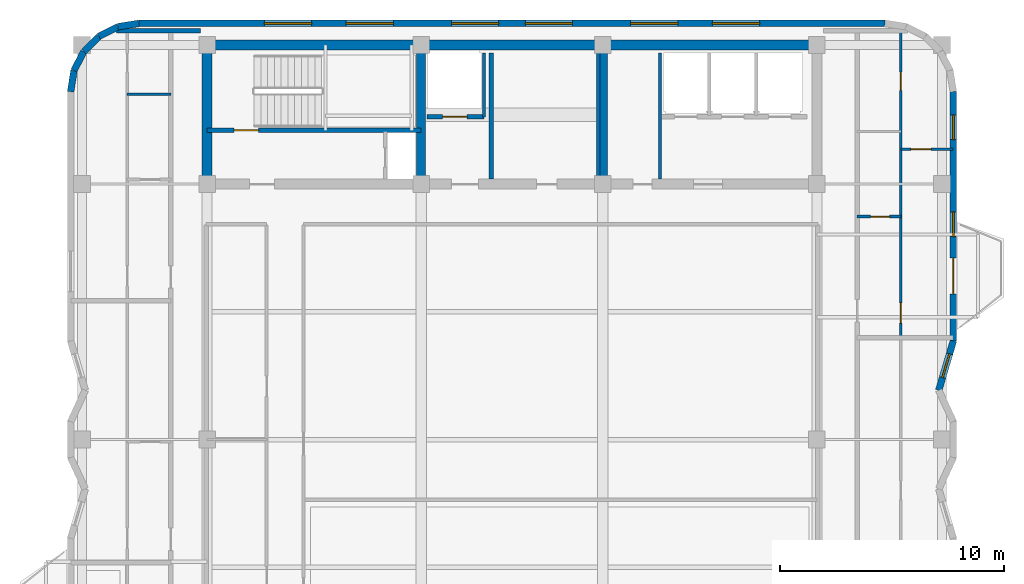
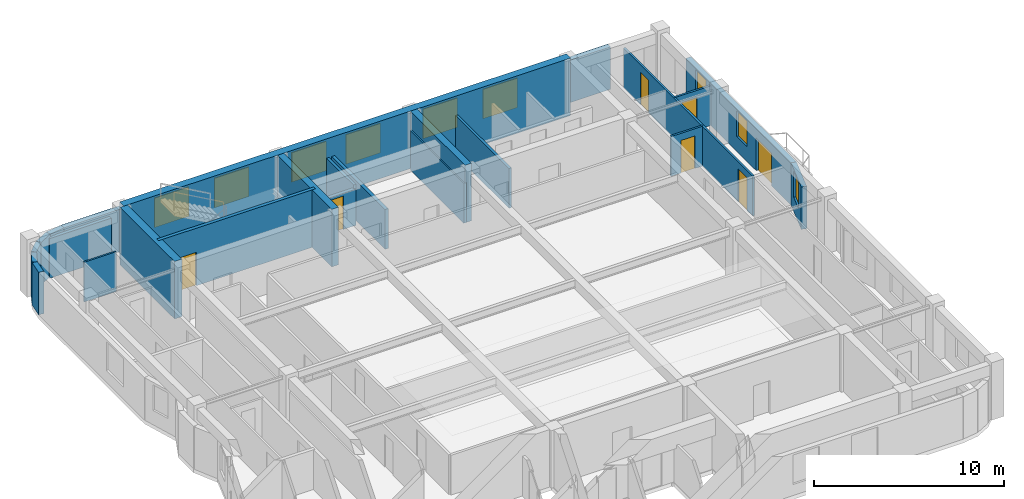
# One storey, part 5 of 8: 23 walls, 9 windows, 7 doors, 16 openings.
"""IFC4 building model written with IfcOpenShell, lengths in metres."""

from ifc_helpers import new_model, si_unit, direction, frame, frame_2d, origin, place, context, subcontext, project, spatial, rectangle, extrude, material, layer, layer_set, type_object, element, fill, save


model = new_model("IFC4")

# Units and contexts
model_context = context("Model", 3, precision=1e-05, world=origin(), true_north=direction((0.0, 1.0)))
body_context = subcontext(model_context, "Body", "Model", "MODEL_VIEW")
ifc_project = project(units=[si_unit("LENGTHUNIT", "METRE"), si_unit("AREAUNIT", "SQUARE_METRE"), si_unit("VOLUMEUNIT", "CUBIC_METRE"), si_unit("PLANEANGLEUNIT", "RADIAN"), si_unit("MASSUNIT", "GRAM", prefix="KILO")], contexts=[model_context])

# Site, building, storey
site_placement = place(None, origin())
site = spatial("IfcSite", under=ifc_project, at=site_placement, CompositionType="ELEMENT")
building_placement = place(site_placement, origin())
building = spatial("IfcBuilding", under=site, at=building_placement, Name="Svetorya Sky Lyceum", CompositionType="ELEMENT")
storey_placement = place(building_placement, frame((0.0, 0.0, 282.39990234375)))
storey = spatial("IfcBuildingStorey", under=building, at=storey_placement, Name="L71", CompositionType="ELEMENT", Elevation=282.39990234375)

# Walls
ifc_material_1 = material(Name="Concrete C40/50", Category="concrete")
ifc_layer_1 = layer(ifc_material_1, 0.39990234375)
ifc_layer_set_1 = layer_set([ifc_layer_1], Name="Concrete C40/50")
wall_type_1 = type_object("IfcWallType", Name="WL-CORE-400", PredefinedType="SHEAR", material=ifc_layer_set_1)
for number, where, z_axis, x_axis, name in (
    (1, (35.14990234375, 39.824951171875, 0.0), (0.0, 0.0, 1.0), (0.0, 1.0, 0.0), "L71 NC Internal Shear Web WEB1"),
    (2, (43.25, 39.824951171875, 0.0), (0.0, 0.0, 1.0), (0.0, 1.0, 0.0), "L71 NC Internal Shear Web WEB2"),
):
    element("IfcWall", number, at=place(storey_placement, frame(where, z_axis=z_axis, x_axis=x_axis)), inside=storey, type_object=wall_type_1, Name=name, PredefinedType="SHEAR", context=body_context, shape_type="SweptSolid", body=[
        extrude(rectangle(XDim=5.75, YDim=0.39990234375, at=frame_2d((2.875, 0.0))), origin(), (0.0, 0.0, 1.0), 3.7001953125),
    ])
ifc_material_2 = material(Name="Concrete C50/60", Category="concrete")
ifc_layer_2 = layer(ifc_material_2, 0.449951171875)
ifc_layer_set_2 = layer_set([ifc_layer_2], Name="Concrete C50/60")
wall_type_2 = type_object("IfcWallType", Name="WL-CORE-450", PredefinedType="SHEAR", material=ifc_layer_set_2)
wall_1_placement = place(storey_placement, frame((25.60009765625, 45.800048828125, 0.0), z_axis=(0.0, 0.0, 1.0), x_axis=(1.0, 0.0, 0.0)))
element("IfcWall", 3, at=wall_1_placement, inside=storey, type_object=wall_type_2, Name="L71 NC Outer Core Shear Wall", PredefinedType="SHEAR", context=body_context, shape_type="SweptSolid", body=[
    extrude(rectangle(XDim=27.199951171875, YDim=0.449951171875, at=frame_2d((13.60009765625, 0.0))), origin(), (0.0, 0.0, 1.0), 3.7001953125),
])
wall_2_placement = place(storey_placement, frame((25.60009765625, 39.824951171875, 0.0), z_axis=(0.0, 0.0, 1.0), x_axis=(0.0, 1.0, 0.0)))
element("IfcWall", 4, at=wall_2_placement, inside=storey, type_object=wall_type_2, Name="L71 NC West Core Shear Wall", PredefinedType="SHEAR", context=body_context, shape_type="SweptSolid", body=[
    extrude(rectangle(XDim=5.75, YDim=0.449951171875, at=frame_2d((2.875, 0.0))), origin(), (0.0, 0.0, 1.0), 3.7001953125),
])

# Wall, opening, window
ifc_material_3 = material(Name="Putilovo limestone rainscreen on autoclaved cellular masonry", Category="masonry")
ifc_layer_3 = layer(ifc_material_3, 0.300048828125)
ifc_layer_set_3 = layer_set([ifc_layer_3], Name="Putilovo limestone rainscreen on autoclaved cellular masonry")
wall_type_3 = type_object("IfcWallType", Name="WL-EXT-300", PredefinedType="SOLIDWALL", material=ifc_layer_set_3)
wall_3_placement = place(storey_placement, frame((58.239990234375, 30.39990234375, 0.0), z_axis=(0.0, 0.0, 1.0), x_axis=(0.28328385701, 0.959036107953, 0.0)))
wall_3 = element("IfcWall", 5, at=wall_3_placement, inside=storey, type_object=wall_type_3, Name="L71 Limestone Exterior Wall 17M", PredefinedType="SOLIDWALL", context=body_context, shape_type="SweptSolid", body=[
    extrude(rectangle(XDim=2.294189453125, YDim=0.300048828125, at=frame_2d((1.14697265625, 0.0))), origin(), (0.0, 0.0, 1.0), 2.72998046875),
])
opening_1_placement = place(wall_3_placement, frame((0.596923828125, 0.0, 0.919921875)))
opening_1 = element("IfcOpeningElement", 6, at=opening_1_placement, cuts=wall_3, Name="Opening W-R3", PredefinedType="OPENING", context=body_context, shape_type="SweptSolid", body=[
    extrude(rectangle(XDim=1.10009765625, YDim=1.64990234375, at=frame_2d((0.550048828125, 0.824951171875))), frame((0.0, 0.159912109375, 0.0), z_axis=(0.0, -1.0, 0.0), x_axis=(1.0, 0.0, 0.0)), (0.0, 0.0, 1.0), 0.320068359375),
])
ifc_material_4 = material(Name="Thermally broken aluminium frame with triple low-E glazing", Category="aluminium")
window_type_1 = type_object("IfcWindowType", Name="WN-RES-110", PartitioningType="SINGLE_PANEL", PredefinedType="WINDOW", material=ifc_material_4)
window_1_placement = place(opening_1_placement, origin())
window_1 = element("IfcWindow", 7, at=window_1_placement, inside=storey, type_object=window_type_1, Name="L71 Facade Window W-R3.17M.1", OverallHeight=1.64990234375, OverallWidth=1.10009765625, PartitioningType="SINGLE_PANEL", PredefinedType="WINDOW", context=body_context, shape_type="SweptSolid", body=[
    extrude(rectangle(XDim=1.10009765625, YDim=1.64990234375, at=frame_2d((0.550048828125, 0.824951171875))), frame((0.0, 0.030029296875, 0.0), z_axis=(0.0, -1.0, 0.0), x_axis=(1.0, 0.0, 0.0)), (0.0, 0.0, 1.0), 0.06005859375),
])
fill(opening_1, window_1)

# Wall, openings, door, windows
wall_4_placement = place(storey_placement, frame((58.889892578125, 32.60009765625, 0.0), z_axis=(0.0, 0.0, 1.0), x_axis=(0.0, 1.0, 0.0)))
wall_4 = element("IfcWall", 8, at=wall_4_placement, inside=storey, type_object=wall_type_3, Name="L71 Limestone Exterior Wall 18M", PredefinedType="SOLIDWALL", context=body_context, shape_type="SweptSolid", body=[
    extrude(rectangle(XDim=11.119873046875, YDim=0.300048828125, at=frame_2d((5.56005859375, 0.0))), origin(), (0.0, 0.0, 1.0), 2.72998046875),
])
opening_2_placement = place(wall_4_placement, frame((2.10009765625, 0.0, 0.0)))
opening_2 = element("IfcOpeningElement", 9, at=opening_2_placement, cuts=wall_4, Name="Opening D-BL1", PredefinedType="OPENING", context=body_context, shape_type="SweptSolid", body=[
    extrude(rectangle(XDim=1.60009765625, YDim=2.10009765625, at=frame_2d((0.800048828125, 1.050048828125))), frame((0.0, 0.159912109375, 0.0), z_axis=(0.0, -1.0, 0.0), x_axis=(1.0, 0.0, 0.0)), (0.0, 0.0, 1.0), 0.320068359375),
])
opening_3_placement = place(wall_4_placement, frame((4.659912109375, 0.0, 0.949951171875)))
opening_3 = element("IfcOpeningElement", 10, at=opening_3_placement, cuts=wall_4, Name="Opening W-R3", PredefinedType="OPENING", context=body_context, shape_type="SweptSolid", body=[
    extrude(rectangle(XDim=1.10009765625, YDim=1.64990234375, at=frame_2d((0.550048828125, 0.824951171875))), frame((0.0, 0.159912109375, 0.0), z_axis=(0.0, -1.0, 0.0), x_axis=(1.0, 0.0, 0.0)), (0.0, 0.0, 1.0), 0.320068359375),
])
opening_4_placement = place(wall_4_placement, frame((8.9833984375, 0.0, 0.949951171875)))
opening_4 = element("IfcOpeningElement", 11, at=opening_4_placement, cuts=wall_4, Name="Opening W-R3", PredefinedType="OPENING", context=body_context, shape_type="SweptSolid", body=[
    extrude(rectangle(XDim=1.10009765625, YDim=1.64990234375, at=frame_2d((0.550048828125, 0.824951171875))), frame((0.0, 0.159912109375, 0.0), z_axis=(0.0, -1.0, 0.0), x_axis=(1.0, 0.0, 0.0)), (0.0, 0.0, 1.0), 0.320068359375),
])
ifc_material_5 = material(Name="Insulated glazed aluminium balcony door", Category="aluminium")
door_type_1 = type_object("IfcDoorType", Name="DR-BAL-1600", OperationType="DOUBLE_DOOR_SINGLE_SWING", PredefinedType="DOOR", material=ifc_material_5)
door_1_placement = place(opening_2_placement, origin())
door_1 = element("IfcDoor", 12, at=door_1_placement, inside=storey, type_object=door_type_1, Name="L71 Balcony BAL-E1 Door", OperationType="DOUBLE_DOOR_SINGLE_SWING", OverallHeight=2.10009765625, OverallWidth=1.60009765625, PredefinedType="DOOR", context=body_context, shape_type="SweptSolid", body=[
    extrude(rectangle(XDim=1.60009765625, YDim=2.10009765625, at=frame_2d((0.800048828125, 1.050048828125))), frame((0.0, 0.02490234375, 0.0), z_axis=(0.0, -1.0, 0.0), x_axis=(1.0, 0.0, 0.0)), (0.0, 0.0, 1.0), 0.050048828125),
])
fill(opening_2, door_1)
window_2_placement = place(opening_3_placement, origin())
window_2 = element("IfcWindow", 13, at=window_2_placement, inside=storey, type_object=window_type_1, Name="L71 Facade Window W-R3.18M.1", OverallHeight=1.64990234375, OverallWidth=1.10009765625, PartitioningType="SINGLE_PANEL", PredefinedType="WINDOW", context=body_context, shape_type="SweptSolid", body=[
    extrude(rectangle(XDim=1.10009765625, YDim=1.64990234375, at=frame_2d((0.550048828125, 0.824951171875))), frame((0.0, 0.030029296875, 0.0), z_axis=(0.0, -1.0, 0.0), x_axis=(1.0, 0.0, 0.0)), (0.0, 0.0, 1.0), 0.06005859375),
])
fill(opening_3, window_2)
window_3_placement = place(opening_4_placement, origin())
window_3 = element("IfcWindow", 14, at=window_3_placement, inside=storey, type_object=window_type_1, Name="L71 Facade Window W-R3.18M.2", OverallHeight=1.64990234375, OverallWidth=1.10009765625, PartitioningType="SINGLE_PANEL", PredefinedType="WINDOW", context=body_context, shape_type="SweptSolid", body=[
    extrude(rectangle(XDim=1.10009765625, YDim=1.64990234375, at=frame_2d((0.550048828125, 0.824951171875))), frame((0.0, 0.030029296875, 0.0), z_axis=(0.0, -1.0, 0.0), x_axis=(1.0, 0.0, 0.0)), (0.0, 0.0, 1.0), 0.06005859375),
])
fill(opening_4, window_3)

# Wall, openings, windows
wall_5_placement = place(storey_placement, frame((55.840087890625, 46.77001953125, 0.0), z_axis=(0.0, 0.0, 1.0), x_axis=(-1.0, 0.0, 0.0)))
wall_5 = element("IfcWall", 15, at=wall_5_placement, inside=storey, type_object=wall_type_3, Name="L71 Limestone Exterior Wall 24M", PredefinedType="SOLIDWALL", context=body_context, shape_type="SweptSolid", body=[
    extrude(rectangle(XDim=33.280029296875, YDim=0.300048828125, at=frame_2d((16.64013671875, 0.0))), origin(), (0.0, 0.0, 1.0), 2.72998046875),
])
opening_5_placement = place(wall_5_placement, frame((5.59619140625, 0.0, 0.7099609375)))
opening_5 = element("IfcOpeningElement", 16, at=opening_5_placement, cuts=wall_5, Name="Opening W-R0", PredefinedType="OPENING", context=body_context, shape_type="SweptSolid", body=[
    extrude(rectangle(XDim=2.10009765625, YDim=1.89990234375, at=frame_2d((1.050048828125, 0.949951171875))), frame((0.0, 0.159912109375, 0.0), z_axis=(0.0, -1.0, 0.0), x_axis=(1.0, 0.0, 0.0)), (0.0, 0.0, 1.0), 0.320068359375),
])
opening_6_placement = place(wall_5_placement, frame((9.243896484375, 0.0, 0.7099609375)))
opening_6 = element("IfcOpeningElement", 17, at=opening_6_placement, cuts=wall_5, Name="Opening W-R0", PredefinedType="OPENING", context=body_context, shape_type="SweptSolid", body=[
    extrude(rectangle(XDim=2.10009765625, YDim=1.89990234375, at=frame_2d((1.050048828125, 0.949951171875))), frame((0.0, 0.159912109375, 0.0), z_axis=(0.0, -1.0, 0.0), x_axis=(1.0, 0.0, 0.0)), (0.0, 0.0, 1.0), 0.320068359375),
])
opening_7_placement = place(wall_5_placement, frame((13.94140625, 0.0, 0.7099609375)))
opening_7 = element("IfcOpeningElement", 18, at=opening_7_placement, cuts=wall_5, Name="Opening W-R0", PredefinedType="OPENING", context=body_context, shape_type="SweptSolid", body=[
    extrude(rectangle(XDim=2.10009765625, YDim=1.89990234375, at=frame_2d((1.050048828125, 0.949951171875))), frame((0.0, 0.159912109375, 0.0), z_axis=(0.0, -1.0, 0.0), x_axis=(1.0, 0.0, 0.0)), (0.0, 0.0, 1.0), 0.320068359375),
])
opening_8_placement = place(wall_5_placement, frame((17.23876953125, 0.0, 0.7099609375)))
opening_8 = element("IfcOpeningElement", 19, at=opening_8_placement, cuts=wall_5, Name="Opening W-R0", PredefinedType="OPENING", context=body_context, shape_type="SweptSolid", body=[
    extrude(rectangle(XDim=2.10009765625, YDim=1.89990234375, at=frame_2d((1.050048828125, 0.949951171875))), frame((0.0, 0.159912109375, 0.0), z_axis=(0.0, -1.0, 0.0), x_axis=(1.0, 0.0, 0.0)), (0.0, 0.0, 1.0), 0.320068359375),
])
opening_9_placement = place(wall_5_placement, frame((21.936279296875, 0.0, 0.7099609375)))
opening_9 = element("IfcOpeningElement", 20, at=opening_9_placement, cuts=wall_5, Name="Opening W-R0", PredefinedType="OPENING", context=body_context, shape_type="SweptSolid", body=[
    extrude(rectangle(XDim=2.10009765625, YDim=1.89990234375, at=frame_2d((1.050048828125, 0.949951171875))), frame((0.0, 0.159912109375, 0.0), z_axis=(0.0, -1.0, 0.0), x_axis=(1.0, 0.0, 0.0)), (0.0, 0.0, 1.0), 0.320068359375),
])
opening_10_placement = place(wall_5_placement, frame((25.583740234375, 0.0, 0.7099609375)))
opening_10 = element("IfcOpeningElement", 21, at=opening_10_placement, cuts=wall_5, Name="Opening W-R0", PredefinedType="OPENING", context=body_context, shape_type="SweptSolid", body=[
    extrude(rectangle(XDim=2.10009765625, YDim=1.89990234375, at=frame_2d((1.050048828125, 0.949951171875))), frame((0.0, 0.159912109375, 0.0), z_axis=(0.0, -1.0, 0.0), x_axis=(1.0, 0.0, 0.0)), (0.0, 0.0, 1.0), 0.320068359375),
])
window_type_2 = type_object("IfcWindowType", Name="WN-RES-210", PartitioningType="TRIPLE_PANEL_VERTICAL", PredefinedType="WINDOW", material=ifc_material_4)
window_4_placement = place(opening_5_placement, origin())
window_4 = element("IfcWindow", 22, at=window_4_placement, inside=storey, type_object=window_type_2, Name="L71 Facade Window W-R0.24M.1", OverallHeight=1.89990234375, OverallWidth=2.10009765625, PartitioningType="SINGLE_PANEL", PredefinedType="WINDOW", context=body_context, shape_type="SweptSolid", body=[
    extrude(rectangle(XDim=2.10009765625, YDim=1.89990234375, at=frame_2d((1.050048828125, 0.949951171875))), frame((0.0, 0.030029296875, 0.0), z_axis=(0.0, -1.0, 0.0), x_axis=(1.0, 0.0, 0.0)), (0.0, 0.0, 1.0), 0.06005859375),
])
fill(opening_5, window_4)
window_5_placement = place(opening_6_placement, origin())
window_5 = element("IfcWindow", 23, at=window_5_placement, inside=storey, type_object=window_type_2, Name="L71 Facade Window W-R0.24M.2", OverallHeight=1.89990234375, OverallWidth=2.10009765625, PartitioningType="SINGLE_PANEL", PredefinedType="WINDOW", context=body_context, shape_type="SweptSolid", body=[
    extrude(rectangle(XDim=2.10009765625, YDim=1.89990234375, at=frame_2d((1.050048828125, 0.949951171875))), frame((0.0, 0.030029296875, 0.0), z_axis=(0.0, -1.0, 0.0), x_axis=(1.0, 0.0, 0.0)), (0.0, 0.0, 1.0), 0.06005859375),
])
fill(opening_6, window_5)
window_6_placement = place(opening_7_placement, origin())
window_6 = element("IfcWindow", 24, at=window_6_placement, inside=storey, type_object=window_type_2, Name="L71 Facade Window W-R0.24M.3", OverallHeight=1.89990234375, OverallWidth=2.10009765625, PartitioningType="SINGLE_PANEL", PredefinedType="WINDOW", context=body_context, shape_type="SweptSolid", body=[
    extrude(rectangle(XDim=2.10009765625, YDim=1.89990234375, at=frame_2d((1.050048828125, 0.949951171875))), frame((0.0, 0.030029296875, 0.0), z_axis=(0.0, -1.0, 0.0), x_axis=(1.0, 0.0, 0.0)), (0.0, 0.0, 1.0), 0.06005859375),
])
fill(opening_7, window_6)
window_7_placement = place(opening_8_placement, origin())
window_7 = element("IfcWindow", 25, at=window_7_placement, inside=storey, type_object=window_type_2, Name="L71 Facade Window W-R0.24M.4", OverallHeight=1.89990234375, OverallWidth=2.10009765625, PartitioningType="SINGLE_PANEL", PredefinedType="WINDOW", context=body_context, shape_type="SweptSolid", body=[
    extrude(rectangle(XDim=2.10009765625, YDim=1.89990234375, at=frame_2d((1.050048828125, 0.949951171875))), frame((0.0, 0.030029296875, 0.0), z_axis=(0.0, -1.0, 0.0), x_axis=(1.0, 0.0, 0.0)), (0.0, 0.0, 1.0), 0.06005859375),
])
fill(opening_8, window_7)
window_8_placement = place(opening_9_placement, origin())
window_8 = element("IfcWindow", 26, at=window_8_placement, inside=storey, type_object=window_type_2, Name="L71 Facade Window W-R0.24M.5", OverallHeight=1.89990234375, OverallWidth=2.10009765625, PartitioningType="SINGLE_PANEL", PredefinedType="WINDOW", context=body_context, shape_type="SweptSolid", body=[
    extrude(rectangle(XDim=2.10009765625, YDim=1.89990234375, at=frame_2d((1.050048828125, 0.949951171875))), frame((0.0, 0.030029296875, 0.0), z_axis=(0.0, -1.0, 0.0), x_axis=(1.0, 0.0, 0.0)), (0.0, 0.0, 1.0), 0.06005859375),
])
fill(opening_9, window_8)
window_9_placement = place(opening_10_placement, origin())
window_9 = element("IfcWindow", 27, at=window_9_placement, inside=storey, type_object=window_type_2, Name="L71 Facade Window W-R0.24M.6", OverallHeight=1.89990234375, OverallWidth=2.10009765625, PartitioningType="SINGLE_PANEL", PredefinedType="WINDOW", context=body_context, shape_type="SweptSolid", body=[
    extrude(rectangle(XDim=2.10009765625, YDim=1.89990234375, at=frame_2d((1.050048828125, 0.949951171875))), frame((0.0, 0.030029296875, 0.0), z_axis=(0.0, -1.0, 0.0), x_axis=(1.0, 0.0, 0.0)), (0.0, 0.0, 1.0), 0.06005859375),
])
fill(opening_10, window_9)

# Walls
wall_6_placement = place(storey_placement, frame((22.56005859375, 46.77001953125, 0.0), z_axis=(0.0, 0.0, 1.0), x_axis=(-0.987669453596, -0.156553666304, 0.0)))
element("IfcWall", 28, at=wall_6_placement, inside=storey, type_object=wall_type_3, Name="L71 Limestone Exterior Wall 25M", PredefinedType="SOLIDWALL", context=body_context, shape_type="SweptSolid", body=[
    extrude(rectangle(XDim=0.954345703125, YDim=0.300048828125, at=frame_2d((0.47705078125, 0.0))), origin(), (0.0, 0.0, 1.0), 2.72998046875),
])
wall_7_placement = place(storey_placement, frame((21.617431640625, 46.62060546875, 0.0), z_axis=(0.0, 0.0, 1.0), x_axis=(-0.891023873617, -0.45395644796, 0.0)))
element("IfcWall", 29, at=wall_7_placement, inside=storey, type_object=wall_type_3, Name="L71 Limestone Exterior Wall 26M", PredefinedType="SOLIDWALL", context=body_context, shape_type="SweptSolid", body=[
    extrude(rectangle(XDim=0.9541015625, YDim=0.300048828125, at=frame_2d((0.47705078125, 0.0))), origin(), (0.0, 0.0, 1.0), 2.72998046875),
])
wall_8_placement = place(storey_placement, frame((20.767333984375, 46.1875, 0.0), z_axis=(0.0, 0.0, 1.0), x_axis=(-0.707106781187, -0.707106781187, 0.0)))
element("IfcWall", 30, at=wall_8_placement, inside=storey, type_object=wall_type_3, Name="L71 Limestone Exterior Wall 27M", PredefinedType="SOLIDWALL", context=body_context, shape_type="SweptSolid", body=[
    extrude(rectangle(XDim=0.954345703125, YDim=0.300048828125, at=frame_2d((0.47705078125, 0.0))), origin(), (0.0, 0.0, 1.0), 2.72998046875),
])
wall_9_placement = place(storey_placement, frame((20.092529296875, 45.5126953125, 0.0), z_axis=(0.0, 0.0, 1.0), x_axis=(-0.454159573051, -0.890920356825, 0.0)))
element("IfcWall", 31, at=wall_9_placement, inside=storey, type_object=wall_type_3, Name="L71 Limestone Exterior Wall 28M", PredefinedType="SOLIDWALL", context=body_context, shape_type="SweptSolid", body=[
    extrude(rectangle(XDim=0.9541015625, YDim=0.300048828125, at=frame_2d((0.47705078125, 0.0))), origin(), (0.0, 0.0, 1.0), 2.72998046875),
])
wall_10_placement = place(storey_placement, frame((19.6591796875, 44.66259765625, 0.0), z_axis=(0.0, 0.0, 1.0), x_axis=(-0.156304114255, -0.987708977314, 0.0)))
element("IfcWall", 32, at=wall_10_placement, inside=storey, type_object=wall_type_3, Name="L71 Limestone Exterior Wall 29M", PredefinedType="SOLIDWALL", context=body_context, shape_type="SweptSolid", body=[
    extrude(rectangle(XDim=0.954345703125, YDim=0.300048828125, at=frame_2d((0.47705078125, 0.0))), origin(), (0.0, 0.0, 1.0), 2.72998046875),
])
ifc_material_6 = material(Name="Galvanized stud partition with moisture-resistant board", Category="gypsum")
ifc_layer_4 = layer(ifc_material_6, 0.10009765625)
ifc_layer_set_4 = layer_set([ifc_layer_4], Name="Galvanized stud partition with moisture-resistant board")
wall_type_4 = type_object("IfcWallType", Name="WL-PART-100", PredefinedType="PARTITIONING", material=ifc_layer_set_4)
wall_11_placement = place(storey_placement, frame((22.030029296875, 43.60498046875, 0.0), z_axis=(0.0, 0.0, 1.0), x_axis=(1.0, 0.0, 0.0)))
element("IfcWall", 33, at=wall_11_placement, inside=storey, type_object=wall_type_4, Name="L71 Interior Partition W3-WH2", PredefinedType="PARTITIONING", context=body_context, shape_type="SweptSolid", body=[
    extrude(rectangle(XDim=1.949951171875, YDim=0.10009765625, at=frame_2d((0.97509765625, 0.0))), origin(), (0.0, 0.0, 1.0), 2.56005859375),
])

# Wall, opening, door
ifc_material_7 = material(Name="Twin-stud galvanized framing with double fireboard", Category="gypsum")
ifc_layer_5 = layer(ifc_material_7, 0.1201171875)
ifc_layer_set_5 = layer_set([ifc_layer_5], Name="Twin-stud galvanized framing with double fireboard")
wall_type_5 = type_object("IfcWallType", Name="WL-PART-120", PredefinedType="PARTITIONING", material=ifc_layer_set_5)
wall_12_placement = place(storey_placement, frame((54.60009765625, 38.14990234375, 0.0), z_axis=(0.0, 0.0, 1.0), x_axis=(1.0, 0.0, 0.0)))
wall_12 = element("IfcWall", 34, at=wall_12_placement, inside=storey, type_object=wall_type_5, Name="L71 Interior Partition E2-WH1", PredefinedType="PARTITIONING", context=body_context, shape_type="SweptSolid", body=[
    extrude(rectangle(XDim=1.949951171875, YDim=0.1201171875, at=frame_2d((0.97509765625, 0.0))), origin(), (0.0, 0.0, 1.0), 2.56005859375),
])
opening_11_placement = place(wall_12_placement, frame((0.60009765625, 0.0, 0.0)))
opening_11 = element("IfcOpeningElement", 35, at=opening_11_placement, cuts=wall_12, Name="Opening D-BT1", PredefinedType="OPENING", context=body_context, shape_type="SweptSolid", body=[
    extrude(rectangle(XDim=0.85009765625, YDim=2.10009765625, at=frame_2d((0.425048828125, 1.050048828125))), frame((0.0, 0.070068359375, 0.0), z_axis=(0.0, -1.0, 0.0), x_axis=(1.0, 0.0, 0.0)), (0.0, 0.0, 1.0), 0.14013671875),
])
ifc_material_8 = material(Name="Moisture-resistant laminate bathroom door")
door_type_2 = type_object("IfcDoorType", Name="DR-WET-850", OperationType="SINGLE_SWING_LEFT", PredefinedType="DOOR", material=ifc_material_8)
door_2_placement = place(opening_11_placement, origin())
door_2 = element("IfcDoor", 36, at=door_2_placement, inside=storey, type_object=door_type_2, Name="Apartment E2 Bathroom Door", OperationType="SINGLE_SWING_LEFT", OverallHeight=2.10009765625, OverallWidth=0.85009765625, PredefinedType="DOOR", context=body_context, shape_type="SweptSolid", body=[
    extrude(rectangle(XDim=0.85009765625, YDim=2.10009765625, at=frame_2d((0.425048828125, 1.050048828125))), frame((0.0, 0.02490234375, 0.0), z_axis=(0.0, -1.0, 0.0), x_axis=(1.0, 0.0, 0.0)), (0.0, 0.0, 1.0), 0.050048828125),
])
fill(opening_11, door_2)

wall_13_placement = place(storey_placement, frame((56.550048828125, 41.14990234375, 0.0), z_axis=(0.0, 0.0, 1.0), x_axis=(1.0, 0.0, 0.0)))
wall_13 = element("IfcWall", 37, at=wall_13_placement, inside=storey, type_object=wall_type_5, Name="L71 Interior Partition E2-WL1", PredefinedType="PARTITIONING", context=body_context, shape_type="SweptSolid", body=[
    extrude(rectangle(XDim=2.320068359375, YDim=0.1201171875, at=frame_2d((1.16015625, 0.0))), origin(), (0.0, 0.0, 1.0), 2.56005859375),
])
opening_12_placement = place(wall_13_placement, frame((0.449951171875, 0.0, 0.0)))
opening_12 = element("IfcOpeningElement", 38, at=opening_12_placement, cuts=wall_13, Name="Opening D-RM1", PredefinedType="OPENING", context=body_context, shape_type="SweptSolid", body=[
    extrude(rectangle(XDim=0.89990234375, YDim=2.10009765625, at=frame_2d((0.449951171875, 1.050048828125))), frame((0.0, 0.070068359375, 0.0), z_axis=(0.0, -1.0, 0.0), x_axis=(1.0, 0.0, 0.0)), (0.0, 0.0, 1.0), 0.14013671875),
])
ifc_material_9 = material(Name="Lacquered birch veneer internal door")
door_type_3 = type_object("IfcDoorType", Name="DR-INT-900", OperationType="SINGLE_SWING_LEFT", PredefinedType="DOOR", material=ifc_material_9)
door_3_placement = place(opening_12_placement, origin())
door_3 = element("IfcDoor", 39, at=door_3_placement, inside=storey, type_object=door_type_3, Name="Apartment E2 Bedroom 1 Door", OperationType="SINGLE_SWING_LEFT", OverallHeight=2.10009765625, OverallWidth=0.89990234375, PredefinedType="DOOR", context=body_context, shape_type="SweptSolid", body=[
    extrude(rectangle(XDim=0.89990234375, YDim=2.10009765625, at=frame_2d((0.449951171875, 1.050048828125))), frame((0.0, 0.02490234375, 0.0), z_axis=(0.0, -1.0, 0.0), x_axis=(1.0, 0.0, 0.0)), (0.0, 0.0, 1.0), 0.050048828125),
])
fill(opening_12, door_3)

# Wall, openings, doors
wall_14_placement = place(storey_placement, frame((56.550048828125, 32.7900390625, 0.0), z_axis=(0.0, 0.0, 1.0), x_axis=(0.0, 1.0, 0.0)))
wall_14 = element("IfcWall", 40, at=wall_14_placement, inside=storey, type_object=wall_type_5, Name="L71 Interior Partition E2-WV", PredefinedType="PARTITIONING", context=body_context, shape_type="SweptSolid", body=[
    extrude(rectangle(XDim=13.619873046875, YDim=0.1201171875, at=frame_2d((6.81005859375, 0.0))), origin(), (0.0, 0.0, 1.0), 2.56005859375),
])
opening_13_placement = place(wall_14_placement, frame((0.610107421875, 0.0, 0.0)))
opening_13 = element("IfcOpeningElement", 41, at=opening_13_placement, cuts=wall_14, Name="Opening D-RM1", PredefinedType="OPENING", context=body_context, shape_type="SweptSolid", body=[
    extrude(rectangle(XDim=0.89990234375, YDim=2.10009765625, at=frame_2d((0.449951171875, 1.050048828125))), frame((0.0, 0.070068359375, 0.0), z_axis=(0.0, -1.0, 0.0), x_axis=(1.0, 0.0, 0.0)), (0.0, 0.0, 1.0), 0.14013671875),
])
opening_14_placement = place(wall_14_placement, frame((10.985107421875, 0.0, 0.0)))
opening_14 = element("IfcOpeningElement", 42, at=opening_14_placement, cuts=wall_14, Name="Opening D-BT2", PredefinedType="OPENING", context=body_context, shape_type="SweptSolid", body=[
    extrude(rectangle(XDim=0.820068359375, YDim=2.080078125, at=frame_2d((0.41015625, 1.0400390625))), frame((0.0, 0.070068359375, 0.0), z_axis=(0.0, -1.0, 0.0), x_axis=(1.0, 0.0, 0.0)), (0.0, 0.0, 1.0), 0.14013671875),
])
door_4_placement = place(opening_13_placement, origin())
door_4 = element("IfcDoor", 43, at=door_4_placement, inside=storey, type_object=door_type_3, Name="Apartment E2 Living Door", OperationType="SINGLE_SWING_RIGHT", OverallHeight=2.10009765625, OverallWidth=0.89990234375, PredefinedType="DOOR", context=body_context, shape_type="SweptSolid", body=[
    extrude(rectangle(XDim=0.89990234375, YDim=2.10009765625, at=frame_2d((0.449951171875, 1.050048828125))), frame((0.0, 0.02490234375, 0.0), z_axis=(0.0, -1.0, 0.0), x_axis=(1.0, 0.0, 0.0)), (0.0, 0.0, 1.0), 0.050048828125),
])
fill(opening_13, door_4)
ifc_material_10 = material(Name="Compact moisture-resistant laminate closet door")
door_type_4 = type_object("IfcDoorType", Name="DR-WET-820", OperationType="SINGLE_SWING_LEFT", PredefinedType="DOOR", material=ifc_material_10)
door_5_placement = place(opening_14_placement, origin())
door_5 = element("IfcDoor", 44, at=door_5_placement, inside=storey, type_object=door_type_4, Name="Apartment E2 Study Door", OperationType="SINGLE_SWING_LEFT", OverallHeight=2.080078125, OverallWidth=0.820068359375, PredefinedType="DOOR", context=body_context, shape_type="SweptSolid", body=[
    extrude(rectangle(XDim=0.820068359375, YDim=2.080078125, at=frame_2d((0.41015625, 1.0400390625))), frame((0.0, 0.02490234375, 0.0), z_axis=(0.0, -1.0, 0.0), x_axis=(1.0, 0.0, 0.0)), (0.0, 0.0, 1.0), 0.050048828125),
])
fill(opening_14, door_5)

# Walls
ifc_material_11 = material(Name="Autoclaved cellular masonry blockwork with acoustic render", Category="masonry")
ifc_layer_6 = layer(ifc_material_11, 0.14990234375)
ifc_layer_set_6 = layer_set([ifc_layer_6], Name="Autoclaved cellular masonry blockwork with acoustic render")
wall_type_6 = type_object("IfcWallType", Name="WL-PART-150", PredefinedType="PARTITIONING", material=ifc_layer_set_6)
wall_15_placement = place(storey_placement, frame((37.949951171875, 42.60009765625, 0.0), z_axis=(0.0, 0.0, 1.0), x_axis=(0.0, 1.0, 0.0)))
element("IfcWall", 45, at=wall_15_placement, inside=storey, type_object=wall_type_6, Name="L71 Interior Partition NC-FL1SIDE", PredefinedType="PARTITIONING", context=body_context, shape_type="SweptSolid", body=[
    extrude(rectangle(XDim=2.849853515625, YDim=0.14990234375, at=frame_2d((1.4248046875, 0.0))), origin(), (0.0, 0.0, 1.0), 2.56005859375),
])
for number, where, z_axis, x_axis, name in (
    (46, (43.050048828125, 39.820068359375, 0.0), (0.0, 0.0, 1.0), (0.0, 1.0, 0.0), "L71 Interior Partition NC-FPM-END"),
    (47, (45.800048828125, 39.820068359375, 0.0), (0.0, 0.0, 1.0), (0.0, 1.0, 0.0), "L71 Interior Partition NC-PM3-FULL"),
):
    element("IfcWall", number, at=place(storey_placement, frame(where, z_axis=z_axis, x_axis=x_axis)), inside=storey, type_object=wall_type_6, Name=name, PredefinedType="PARTITIONING", context=body_context, shape_type="SweptSolid", body=[
        extrude(rectangle(XDim=5.6298828125, YDim=0.14990234375, at=frame_2d((2.81494140625, 0.0))), origin(), (0.0, 0.0, 1.0), 2.56005859375),
    ])

# Wall, opening, door
ifc_material_12 = material(Name="Autoclaved cellular masonry blockwork with gypsum plaster", Category="masonry")
ifc_layer_7 = layer(ifc_material_12, 0.199951171875)
ifc_layer_set_7 = layer_set([ifc_layer_7], Name="Autoclaved cellular masonry blockwork with gypsum plaster")
wall_type_7 = type_object("IfcWallType", Name="WL-PART-200", PredefinedType="PARTITIONING", material=ifc_layer_set_7)
wall_16_placement = place(storey_placement, frame((37.949951171875, 42.60009765625, 0.0), z_axis=(0.0, 0.0, 1.0), x_axis=(-1.0, 0.0, 0.0)))
wall_16 = element("IfcWall", 48, at=wall_16_placement, inside=storey, type_object=wall_type_7, Name="L71 Interior Partition NC-FL1W", PredefinedType="PARTITIONING", context=body_context, shape_type="SweptSolid", body=[
    extrude(rectangle(XDim=2.550048828125, YDim=0.199951171875, at=frame_2d((1.27490234375, 0.0))), origin(), (0.0, 0.0, 1.0), 2.330078125),
])
opening_15_placement = place(wall_16_placement, frame((0.75, 0.0, 0.0)))
opening_15 = element("IfcOpeningElement", 49, at=opening_15_placement, cuts=wall_16, Name="Opening LD-FL", PredefinedType="OPENING", context=body_context, shape_type="SweptSolid", body=[
    extrude(rectangle(XDim=1.10009765625, YDim=2.14990234375, at=frame_2d((0.550048828125, 1.074951171875))), frame((0.0, 0.10986328125, 0.0), z_axis=(0.0, -1.0, 0.0), x_axis=(1.0, 0.0, 0.0)), (0.0, 0.0, 1.0), 0.219970703125),
])
ifc_material_13 = material(Name="Fire-rated stainless AISI 304 firefighting lift landing door")
door_type_5 = type_object("IfcDoorType", Name="DR-LIFT-1100", OperationType="SLIDING_TO_LEFT", PredefinedType="DOOR", material=ifc_material_13)
door_6_placement = place(opening_15_placement, origin())
door_6 = element("IfcDoor", 50, at=door_6_placement, inside=storey, type_object=door_type_5, Name="L71 Firefighting Lift FL1 Landing Door", OperationType="SLIDING_TO_LEFT", OverallHeight=2.14990234375, OverallWidth=1.10009765625, PredefinedType="DOOR", context=body_context, shape_type="SweptSolid", body=[
    extrude(rectangle(XDim=1.10009765625, YDim=2.14990234375, at=frame_2d((0.550048828125, 1.074951171875))), frame((0.0, 0.02490234375, 0.0), z_axis=(0.0, -1.0, 0.0), x_axis=(1.0, 0.0, 0.0)), (0.0, 0.0, 1.0), 0.050048828125),
])
fill(opening_15, door_6)

# Walls
wall_17_placement = place(storey_placement, frame((38.280029296875, 39.820068359375, 0.0), z_axis=(0.0, 0.0, 1.0), x_axis=(0.0, 1.0, 0.0)))
element("IfcWall", 51, at=wall_17_placement, inside=storey, type_object=wall_type_7, Name="L71 Interior Partition NC-FFLDIV", PredefinedType="PARTITIONING", context=body_context, shape_type="SweptSolid", body=[
    extrude(rectangle(XDim=5.6298828125, YDim=0.199951171875, at=frame_2d((2.81494140625, 0.0))), origin(), (0.0, 0.0, 1.0), 2.56005859375),
])
wall_18_placement = place(storey_placement, frame((21.5458984375, 46.449951171875, 0.0), z_axis=(0.0, 0.0, 1.0), x_axis=(1.0, 0.0, 0.0)))
element("IfcWall", 52, at=wall_18_placement, inside=storey, type_object=wall_type_7, Name="L71 Interior Partition W-CAP-N", PredefinedType="PARTITIONING", context=body_context, shape_type="SweptSolid", body=[
    extrude(rectangle(XDim=3.754150390625, YDim=0.199951171875, at=frame_2d((1.876953125, 0.0))), origin(), (0.0, 0.0, 1.0), 2.56005859375),
])

# Wall, opening, door
ifc_layer_8 = layer(ifc_material_2, 0.199951171875)
ifc_layer_set_8 = layer_set([ifc_layer_8], Name="Concrete C50/60")
wall_type_8 = type_object("IfcWallType", Name="WL-SHW-200", PredefinedType="SHEAR", material=ifc_layer_set_8)
wall_19_placement = place(storey_placement, frame((35.14990234375, 42.0, 0.0), z_axis=(0.0, 0.0, 1.0), x_axis=(-1.0, 0.0, 0.0)))
wall_19 = element("IfcWall", 53, at=wall_19_placement, inside=storey, type_object=wall_type_8, Name="L71 Structural Stair Shaft Wall NC-STW", PredefinedType="SHEAR", context=body_context, shape_type="SweptSolid", body=[
    extrude(rectangle(XDim=9.5498046875, YDim=0.199951171875, at=frame_2d((4.77490234375, 0.0))), origin(), (0.0, 0.0, 1.0), 3.7001953125),
])
opening_16_placement = place(wall_19_placement, frame((7.25, 0.0, 0.0)))
opening_16 = element("IfcOpeningElement", 54, at=opening_16_placement, cuts=wall_19, Name="Opening D-ST1", PredefinedType="OPENING", context=body_context, shape_type="SweptSolid", body=[
    extrude(rectangle(XDim=1.10009765625, YDim=2.14990234375, at=frame_2d((0.550048828125, 1.074951171875))), frame((0.0, 0.10986328125, 0.0), z_axis=(0.0, -1.0, 0.0), x_axis=(1.0, 0.0, 0.0)), (0.0, 0.0, 1.0), 0.219970703125),
])
ifc_material_14 = material(Name="Powder-coated insulated galvanized stair fire door")
door_type_6 = type_object("IfcDoorType", Name="DR-FIRE-1100", OperationType="SINGLE_SWING_LEFT", PredefinedType="DOOR", material=ifc_material_14)
door_7_placement = place(opening_16_placement, origin())
door_7 = element("IfcDoor", 55, at=door_7_placement, inside=storey, type_object=door_type_6, Name="L71 Stair ST-N Vestibule Fire Door", OperationType="SINGLE_SWING_RIGHT", OverallHeight=2.14990234375, OverallWidth=1.10009765625, PredefinedType="DOOR", context=body_context, shape_type="SweptSolid", body=[
    extrude(rectangle(XDim=1.10009765625, YDim=2.14990234375, at=frame_2d((0.550048828125, 1.074951171875))), frame((0.0, 0.02490234375, 0.0), z_axis=(0.0, -1.0, 0.0), x_axis=(1.0, 0.0, 0.0)), (0.0, 0.0, 1.0), 0.050048828125),
])
fill(opening_16, door_7)

save(model, "model.ifc")
